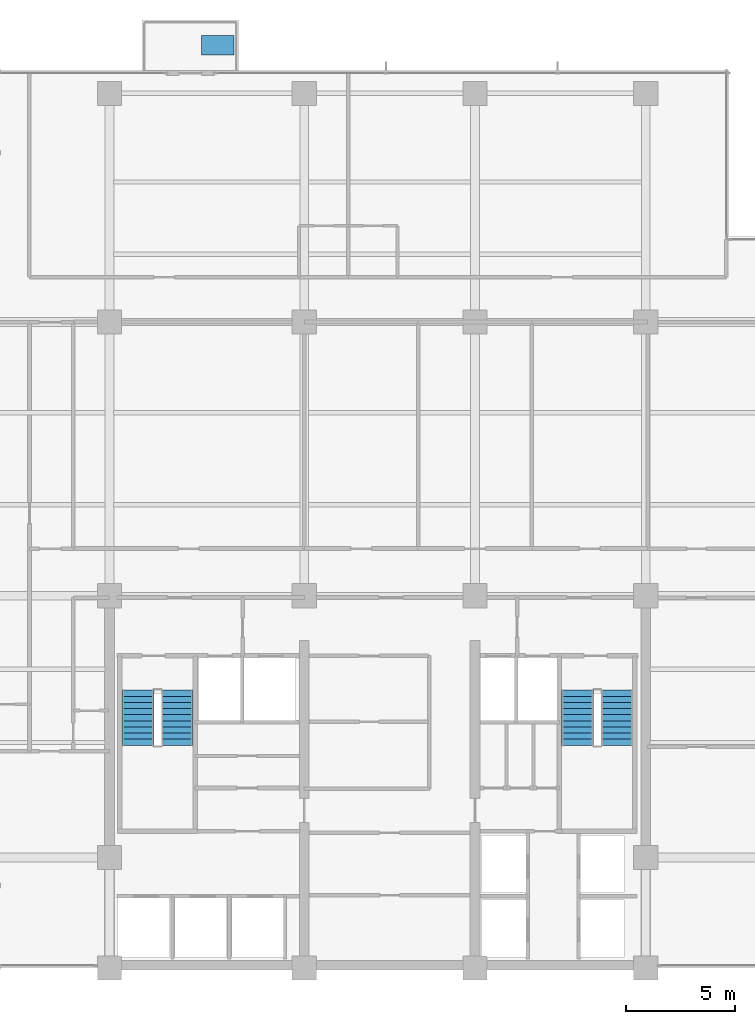
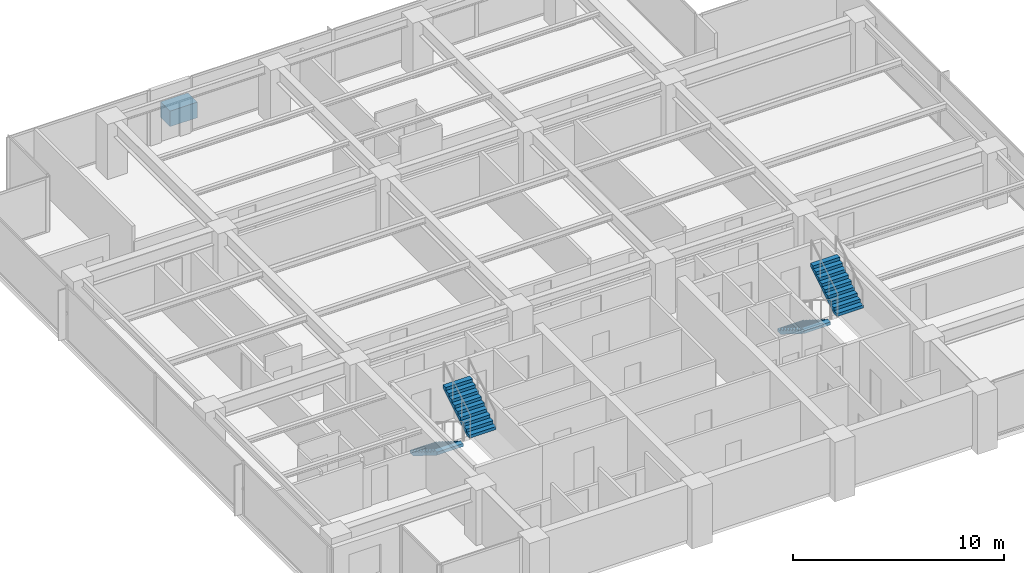
# One storey, part 10 of 14: 4 stair flights, 1 discrete accessory, 2 elements without a shape of their own.
"""IFC4 building model written with IfcOpenShell, lengths in metres."""

from ifc_helpers import new_model, si_unit, direction, frame, origin, place, context, subcontext, project, spatial, polyline, outline, extrude, material, layer, layer_set, type_object, element, aggregate, save


model = new_model("IFC4")

# Units and contexts
model_context = context("Model", 3, precision=1e-05, world=origin(), true_north=direction((0.0, 1.0)))
body_context = subcontext(model_context, "Body", "Model", "MODEL_VIEW")
ifc_project = project(units=[si_unit("LENGTHUNIT", "METRE"), si_unit("AREAUNIT", "SQUARE_METRE"), si_unit("VOLUMEUNIT", "CUBIC_METRE"), si_unit("PLANEANGLEUNIT", "RADIAN"), si_unit("MASSUNIT", "GRAM", prefix="KILO")], contexts=[model_context])

# Site, building, storey
site_placement = place(None, origin())
site = spatial("IfcSite", under=ifc_project, at=site_placement, CompositionType="ELEMENT")
building_placement = place(site_placement, origin())
building = spatial("IfcBuilding", under=site, at=building_placement, Name="Qalmaran Belvedere Hotel", CompositionType="ELEMENT")
storey_placement = place(building_placement, frame((0.0, 0.0, 180.60009765625)))
storey = spatial("IfcBuildingStorey", under=building, at=storey_placement, Name="L46", CompositionType="ELEMENT", Elevation=180.60009765625)

# Stair, stair flights
ifc_material = material(Name="Concrete C40/50", Category="concrete")
stair_type_1 = type_object("IfcStairType", Name="STR-ST-1-1450-R1750", PredefinedType="HALF_TURN_STAIR", material=ifc_material)
stair_1_placement = place(storey_placement, origin())
stair_1 = element("IfcStair", 1, at=stair_1_placement, inside=storey, type_object=stair_type_1, Name="L46 West Core Exit Stair ST-1", PredefinedType="HALF_TURN_STAIR")
ifc_layer_1 = layer(ifc_material, 0.14990234375, Name="Concrete C40/50")
ifc_layer_set_1 = layer_set([ifc_layer_1], Name="Concrete C40/50")
stair_flight_type_1 = type_object("IfcStairFlightType", Name="STF-ST-1-1450-R1750", PredefinedType="STRAIGHT", material=ifc_layer_set_1)
stair_flight_1_placement = place(storey_placement, frame((21.60498046875, 16.18994140625, 0.0), z_axis=(0.0, 0.0, 1.0), x_axis=(0.0, -1.0, 0.0)))
stair_flight_1 = element("IfcStairFlight", 2, at=stair_flight_1_placement, type_object=stair_flight_type_1, Name="ST-1 flight 1", NumberOfRisers=10, NumberOfTreads=9, PredefinedType="STRAIGHT", RiserHeight=0.175, TreadLength=0.28, context=body_context, shape_type="SweptSolid", body=[
    extrude(outline(polyline([(0.0, 0.0), (0.0, 0.175048828125), (0.280029296875, 0.175048828125), (0.280029296875, 0.35009765625), (0.56005859375, 0.35009765625), (0.56005859375, 0.52490234375), (0.840087890625, 0.52490234375), (0.840087890625, 0.699951171875), (1.1201171875, 0.699951171875), (1.1201171875, 0.875), (1.39990234375, 0.875), (1.39990234375, 1.050048828125), (1.679931640625, 1.050048828125), (1.679931640625, 1.22509765625), (1.9599609375, 1.22509765625), (1.9599609375, 1.39990234375), (2.239990234375, 1.39990234375), (2.239990234375, 1.574951171875), (2.52001953125, 1.574951171875), (2.52001953125, 1.75), (2.52001953125, 1.398193359375), (0.28271484375, 0.0), (0.0, 0.0)])), frame((0.0, 0.72509765625, 0.0), z_axis=(0.0, -1.0, 0.0), x_axis=(1.0, 0.0, 0.0)), (0.0, 0.0, 1.0), 1.449951171875),
])
stair_flight_2_placement = place(storey_placement, frame((23.39501953125, 13.669921875, 1.75), z_axis=(0.0, 0.0, 1.0), x_axis=(0.0, 1.0, 0.0)))
stair_flight_2 = element("IfcStairFlight", 3, at=stair_flight_2_placement, type_object=stair_flight_type_1, Name="ST-1 flight 2", NumberOfRisers=10, NumberOfTreads=9, PredefinedType="STRAIGHT", RiserHeight=0.175, TreadLength=0.28, context=body_context, shape_type="SweptSolid", body=[
    extrude(outline(polyline([(0.0, 0.0), (0.0, 0.175048828125), (0.280029296875, 0.175048828125), (0.280029296875, 0.35009765625), (0.56005859375, 0.35009765625), (0.56005859375, 0.52490234375), (0.840087890625, 0.52490234375), (0.840087890625, 0.699951171875), (1.1201171875, 0.699951171875), (1.1201171875, 0.875), (1.39990234375, 0.875), (1.39990234375, 1.050048828125), (1.679931640625, 1.050048828125), (1.679931640625, 1.22509765625), (1.9599609375, 1.22509765625), (1.9599609375, 1.39990234375), (2.239990234375, 1.39990234375), (2.239990234375, 1.574951171875), (2.52001953125, 1.574951171875), (2.52001953125, 1.75), (2.52001953125, 1.398193359375), (0.28271484375, 0.0), (0.0, 0.0)])), frame((0.0, 0.72509765625, 0.0), z_axis=(0.0, -1.0, 0.0), x_axis=(1.0, 0.0, 0.0)), (0.0, 0.0, 1.0), 1.449951171875),
])
aggregate(stair_1, [stair_flight_1, stair_flight_2])

stair_type_2 = type_object("IfcStairType", Name="STR-ST-2-1450-R1750", PredefinedType="HALF_TURN_STAIR", material=ifc_material)
stair_2_placement = place(storey_placement, origin())
stair_2 = element("IfcStair", 4, at=stair_2_placement, inside=storey, type_object=stair_type_2, Name="L46 East Core Exit Stair ST-2", PredefinedType="HALF_TURN_STAIR")
ifc_layer_2 = layer(ifc_material, 0.14990234375, Name="Concrete C40/50")
ifc_layer_set_2 = layer_set([ifc_layer_2], Name="Concrete C40/50")
stair_flight_type_2 = type_object("IfcStairFlightType", Name="STF-ST-2-1450-R1750", PredefinedType="STRAIGHT", material=ifc_layer_set_2)
stair_flight_3_placement = place(storey_placement, frame((41.68505859375, 16.18994140625, 0.0), z_axis=(0.0, 0.0, 1.0), x_axis=(0.0, -1.0, 0.0)))
stair_flight_3 = element("IfcStairFlight", 5, at=stair_flight_3_placement, type_object=stair_flight_type_2, Name="ST-2 flight 1", NumberOfRisers=10, NumberOfTreads=9, PredefinedType="STRAIGHT", RiserHeight=0.175, TreadLength=0.28, context=body_context, shape_type="SweptSolid", body=[
    extrude(outline(polyline([(0.0, 0.0), (0.0, 0.175048828125), (0.280029296875, 0.175048828125), (0.280029296875, 0.35009765625), (0.56005859375, 0.35009765625), (0.56005859375, 0.52490234375), (0.840087890625, 0.52490234375), (0.840087890625, 0.699951171875), (1.1201171875, 0.699951171875), (1.1201171875, 0.875), (1.39990234375, 0.875), (1.39990234375, 1.050048828125), (1.679931640625, 1.050048828125), (1.679931640625, 1.22509765625), (1.9599609375, 1.22509765625), (1.9599609375, 1.39990234375), (2.239990234375, 1.39990234375), (2.239990234375, 1.574951171875), (2.52001953125, 1.574951171875), (2.52001953125, 1.75), (2.52001953125, 1.398193359375), (0.28271484375, 0.0), (0.0, 0.0)])), frame((0.0, 0.72509765625, 0.0), z_axis=(0.0, -1.0, 0.0), x_axis=(1.0, 0.0, 0.0)), (0.0, 0.0, 1.0), 1.449951171875),
])
stair_flight_4_placement = place(storey_placement, frame((43.47509765625, 13.669921875, 1.75), z_axis=(0.0, 0.0, 1.0), x_axis=(0.0, 1.0, 0.0)))
stair_flight_4 = element("IfcStairFlight", 6, at=stair_flight_4_placement, type_object=stair_flight_type_2, Name="ST-2 flight 2", NumberOfRisers=10, NumberOfTreads=9, PredefinedType="STRAIGHT", RiserHeight=0.175, TreadLength=0.28, context=body_context, shape_type="SweptSolid", body=[
    extrude(outline(polyline([(0.0, 0.0), (0.0, 0.175048828125), (0.280029296875, 0.175048828125), (0.280029296875, 0.35009765625), (0.56005859375, 0.35009765625), (0.56005859375, 0.52490234375), (0.840087890625, 0.52490234375), (0.840087890625, 0.699951171875), (1.1201171875, 0.699951171875), (1.1201171875, 0.875), (1.39990234375, 0.875), (1.39990234375, 1.050048828125), (1.679931640625, 1.050048828125), (1.679931640625, 1.22509765625), (1.9599609375, 1.22509765625), (1.9599609375, 1.39990234375), (2.239990234375, 1.39990234375), (2.239990234375, 1.574951171875), (2.52001953125, 1.574951171875), (2.52001953125, 1.75), (2.52001953125, 1.398193359375), (0.28271484375, 0.0), (0.0, 0.0)])), frame((0.0, 0.72509765625, 0.0), z_axis=(0.0, -1.0, 0.0), x_axis=(1.0, 0.0, 0.0)), (0.0, 0.0, 1.0), 1.449951171875),
])
aggregate(stair_2, [stair_flight_3, stair_flight_4])

# Discrete accessory
discrete_accessory_type = type_object("IfcDiscreteAccessoryType", Name="PLN-BAL-1500", PredefinedType="USERDEFINED", material=ifc_material)
discrete_accessory_placement = place(storey_placement, origin())
element("IfcDiscreteAccessory", 7, at=discrete_accessory_placement, inside=storey, type_object=discrete_accessory_type, Name="L46 Sky Tree Planter", ObjectType="PLANTER", PredefinedType="USERDEFINED", context=body_context, shape_type="SweptSolid", body=[
    extrude(outline(polyline([(24.5, 45.199951171875), (26.0, 45.199951171875), (26.0, 46.10009765625), (24.5, 46.10009765625), (24.5, 45.199951171875)])), origin(), (0.0, 0.0, 1.0), 0.89990234375),
])

save(model, "model.ifc")
